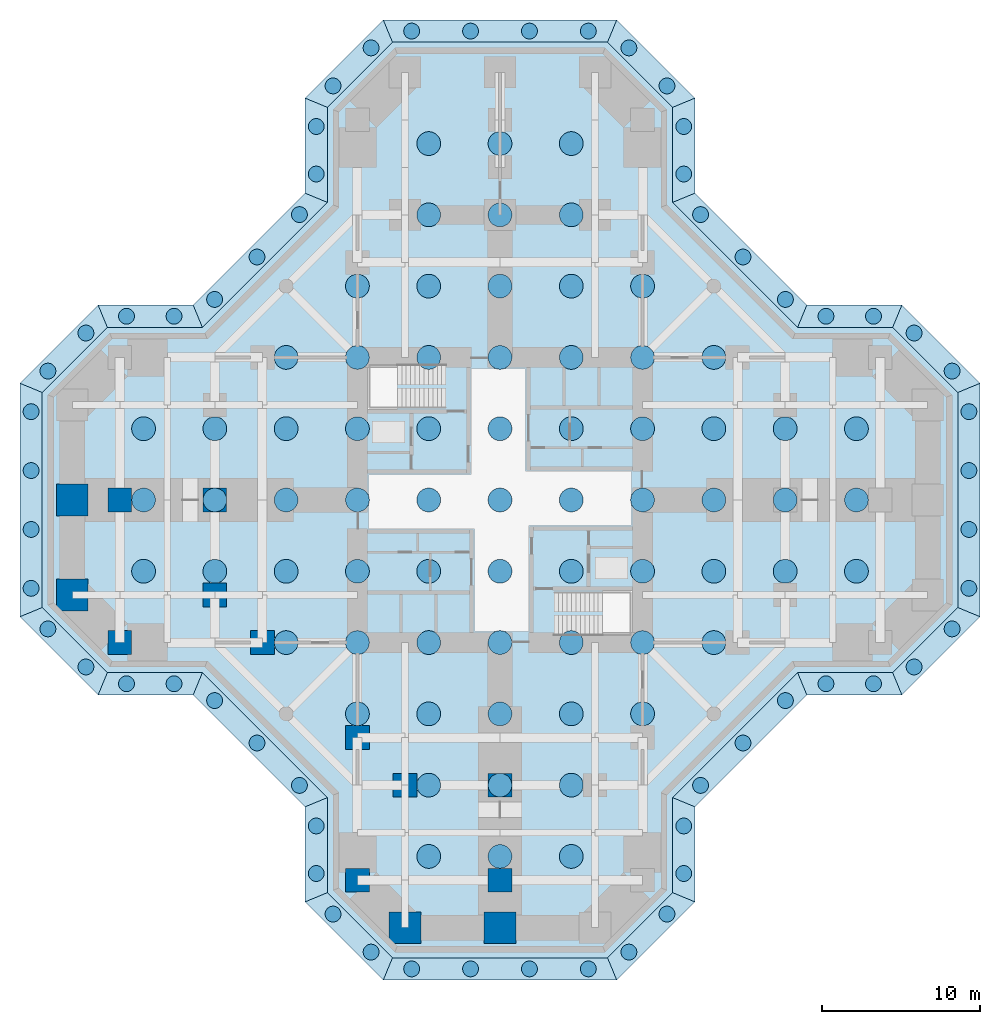
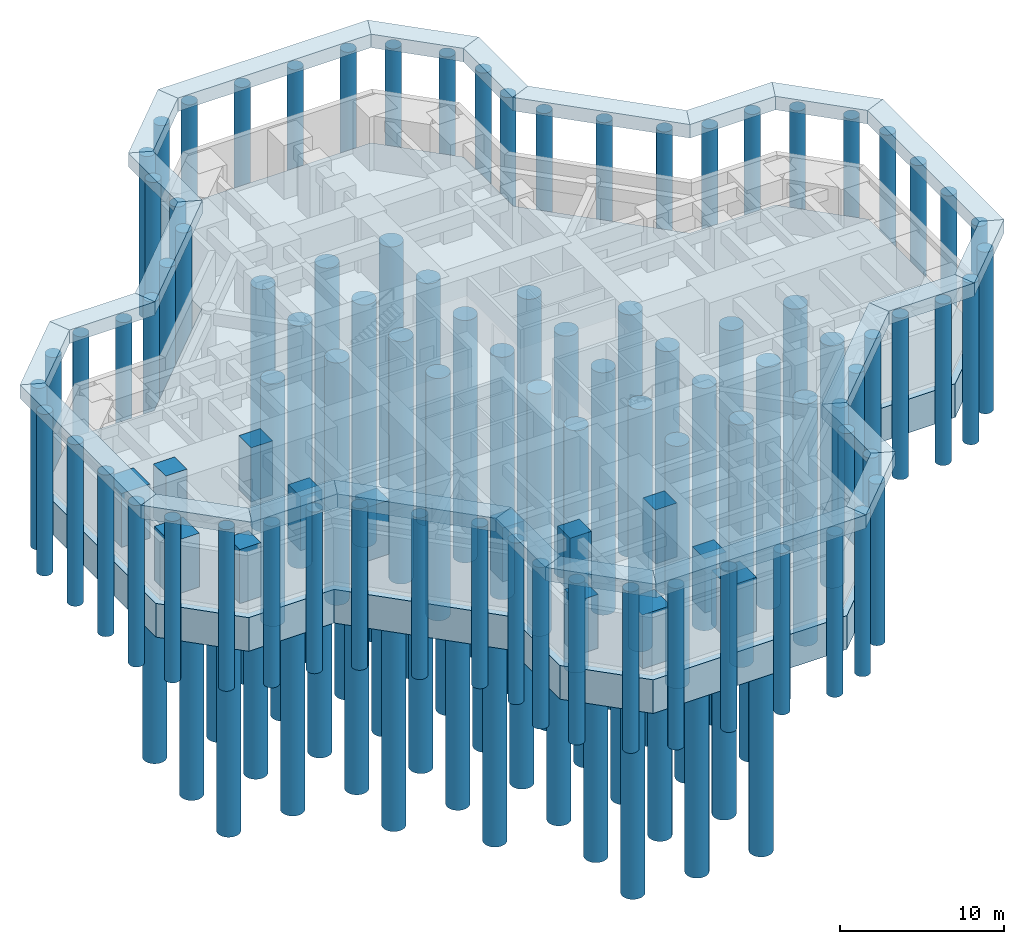
# One storey, part 1 of 8: 129 piles, 25 footings, 14 columns.
"""IFC4 building model written with IfcOpenShell, lengths in metres."""

from ifc_helpers import new_model, si_unit, direction, frame, origin, origin_2d, place, context, subcontext, project, spatial, polyline, rectangle, circle, outline, extrude, material, layer, layer_set, material_profile, profile_set, type_object, element, save


model = new_model("IFC4")

# Units and contexts
model_context = context("Model", 3, precision=1e-05, world=origin(), true_north=direction((0.0, 1.0)))
body_context = subcontext(model_context, "Body", "Model", "MODEL_VIEW")
ifc_project = project(units=[si_unit("LENGTHUNIT", "METRE"), si_unit("AREAUNIT", "SQUARE_METRE"), si_unit("VOLUMEUNIT", "CUBIC_METRE"), si_unit("PLANEANGLEUNIT", "RADIAN"), si_unit("MASSUNIT", "GRAM", prefix="KILO")], contexts=[model_context])

# Site, building, storey
site_placement = place(None, origin())
site = spatial("IfcSite", under=ifc_project, at=site_placement, CompositionType="ELEMENT")
building_placement = place(site_placement, origin())
building = spatial("IfcBuilding", under=site, at=building_placement, Name="Torre Cruceta", CompositionType="ELEMENT")
storey_placement = place(building_placement, frame((0.0, 0.0, -8.0)))
storey = spatial("IfcBuildingStorey", under=building, at=storey_placement, Name="B02", CompositionType="ELEMENT", Elevation=-8.0)

# Piles
ifc_material_1 = material(Name="Concrete G35 (fck 35 MPa)", Category="concrete")
ifc_material_profile_1 = material_profile(ifc_material_1, circle(Radius=0.75, at=origin_2d()), Name="RC D1500")
ifc_profile_set_1 = profile_set([ifc_material_profile_1], Name="Concrete G35 (fck 35 MPa)")
pile_type_1 = type_object("IfcPileType", Name="BORED PILE RC D1500", PredefinedType="BORED", material=ifc_profile_set_1)
for number, where, z_axis, x_axis, name in (
    (1, (-22.5, -4.5, -2.800048828125), (0.0, 0.0, -1.0), (1.0, 0.0, 0.0), "Raft pile BP1-001"),
    (2, (-22.5, 0.0, -2.800048828125), (0.0, 0.0, -1.0), (1.0, 0.0, 0.0), "Raft pile BP1-002"),
    (3, (-22.5, 4.5, -2.800048828125), (0.0, 0.0, -1.0), (1.0, 0.0, 0.0), "Raft pile BP1-003"),
    (4, (-18.0, -4.5, -2.800048828125), (0.0, 0.0, -1.0), (1.0, 0.0, 0.0), "Raft pile BP1-004"),
    (5, (-18.0, 0.0, -2.800048828125), (0.0, 0.0, -1.0), (1.0, 0.0, 0.0), "Raft pile BP1-005"),
    (6, (-18.0, 4.5, -2.800048828125), (0.0, 0.0, -1.0), (1.0, 0.0, 0.0), "Raft pile BP1-006"),
    (7, (-13.5, -9.0, -2.800048828125), (0.0, 0.0, -1.0), (1.0, 0.0, 0.0), "Raft pile BP1-007"),
    (8, (-13.5, -4.5, -2.800048828125), (0.0, 0.0, -1.0), (1.0, 0.0, 0.0), "Raft pile BP1-008"),
    (9, (-13.5, 0.0, -2.800048828125), (0.0, 0.0, -1.0), (1.0, 0.0, 0.0), "Raft pile BP1-009"),
    (10, (-13.5, 4.5, -2.800048828125), (0.0, 0.0, -1.0), (1.0, 0.0, 0.0), "Raft pile BP1-010"),
    (11, (-13.5, 9.0, -2.800048828125), (0.0, 0.0, -1.0), (1.0, 0.0, 0.0), "Raft pile BP1-011"),
    (12, (-9.0, -13.5, -2.800048828125), (0.0, 0.0, -1.0), (1.0, 0.0, 0.0), "Raft pile BP1-012"),
    (13, (-9.0, -9.0, -2.800048828125), (0.0, 0.0, -1.0), (1.0, 0.0, 0.0), "Raft pile BP1-013"),
    (14, (-9.0, -4.5, -2.800048828125), (0.0, 0.0, -1.0), (1.0, 0.0, 0.0), "Raft pile BP1-014"),
    (15, (-9.0, 0.0, -2.800048828125), (0.0, 0.0, -1.0), (1.0, 0.0, 0.0), "Raft pile BP1-015"),
    (16, (-9.0, 4.5, -2.800048828125), (0.0, 0.0, -1.0), (1.0, 0.0, 0.0), "Raft pile BP1-016"),
    (17, (-9.0, 9.0, -2.800048828125), (0.0, 0.0, -1.0), (1.0, 0.0, 0.0), "Raft pile BP1-017"),
    (18, (-9.0, 13.5, -2.800048828125), (0.0, 0.0, -1.0), (1.0, 0.0, 0.0), "Raft pile BP1-018"),
    (19, (-4.5, -22.5, -2.800048828125), (0.0, 0.0, -1.0), (1.0, 0.0, 0.0), "Raft pile BP1-019"),
    (20, (-4.5, -18.0, -2.800048828125), (0.0, 0.0, -1.0), (1.0, 0.0, 0.0), "Raft pile BP1-020"),
    (21, (-4.5, -13.5, -2.800048828125), (0.0, 0.0, -1.0), (1.0, 0.0, 0.0), "Raft pile BP1-021"),
    (22, (-4.5, -9.0, -2.800048828125), (0.0, 0.0, -1.0), (1.0, 0.0, 0.0), "Raft pile BP1-022"),
    (23, (-4.5, -4.5, -2.800048828125), (0.0, 0.0, -1.0), (1.0, 0.0, 0.0), "Raft pile BP1-023"),
    (24, (-4.5, 0.0, -2.800048828125), (0.0, 0.0, -1.0), (1.0, 0.0, 0.0), "Raft pile BP1-024"),
    (25, (-4.5, 4.5, -2.800048828125), (0.0, 0.0, -1.0), (1.0, 0.0, 0.0), "Raft pile BP1-025"),
    (26, (-4.5, 9.0, -2.800048828125), (0.0, 0.0, -1.0), (1.0, 0.0, 0.0), "Raft pile BP1-026"),
    (27, (-4.5, 13.5, -2.800048828125), (0.0, 0.0, -1.0), (1.0, 0.0, 0.0), "Raft pile BP1-027"),
    (28, (-4.5, 18.0, -2.800048828125), (0.0, 0.0, -1.0), (1.0, 0.0, 0.0), "Raft pile BP1-028"),
    (29, (-4.5, 22.5, -2.800048828125), (0.0, 0.0, -1.0), (1.0, 0.0, 0.0), "Raft pile BP1-029"),
    (30, (0.0, -22.5, -2.800048828125), (0.0, 0.0, -1.0), (1.0, 0.0, 0.0), "Raft pile BP1-030"),
    (31, (0.0, -18.0, -2.800048828125), (0.0, 0.0, -1.0), (1.0, 0.0, 0.0), "Raft pile BP1-031"),
    (32, (0.0, -13.5, -2.800048828125), (0.0, 0.0, -1.0), (1.0, 0.0, 0.0), "Raft pile BP1-032"),
    (33, (0.0, -9.0, -2.800048828125), (0.0, 0.0, -1.0), (1.0, 0.0, 0.0), "Raft pile BP1-033"),
    (34, (0.0, -4.5, -2.800048828125), (0.0, 0.0, -1.0), (1.0, 0.0, 0.0), "Raft pile BP1-034"),
    (35, (0.0, 0.0, -2.800048828125), (0.0, 0.0, -1.0), (1.0, 0.0, 0.0), "Raft pile BP1-035"),
    (36, (0.0, 4.5, -2.800048828125), (0.0, 0.0, -1.0), (1.0, 0.0, 0.0), "Raft pile BP1-036"),
    (37, (0.0, 9.0, -2.800048828125), (0.0, 0.0, -1.0), (1.0, 0.0, 0.0), "Raft pile BP1-037"),
    (38, (0.0, 13.5, -2.800048828125), (0.0, 0.0, -1.0), (1.0, 0.0, 0.0), "Raft pile BP1-038"),
    (39, (0.0, 18.0, -2.800048828125), (0.0, 0.0, -1.0), (1.0, 0.0, 0.0), "Raft pile BP1-039"),
    (40, (0.0, 22.5, -2.800048828125), (0.0, 0.0, -1.0), (1.0, 0.0, 0.0), "Raft pile BP1-040"),
    (41, (4.5, -22.5, -2.800048828125), (0.0, 0.0, -1.0), (1.0, 0.0, 0.0), "Raft pile BP1-041"),
    (42, (4.5, -18.0, -2.800048828125), (0.0, 0.0, -1.0), (1.0, 0.0, 0.0), "Raft pile BP1-042"),
    (43, (4.5, -13.5, -2.800048828125), (0.0, 0.0, -1.0), (1.0, 0.0, 0.0), "Raft pile BP1-043"),
    (44, (4.5, -9.0, -2.800048828125), (0.0, 0.0, -1.0), (1.0, 0.0, 0.0), "Raft pile BP1-044"),
    (45, (4.5, -4.5, -2.800048828125), (0.0, 0.0, -1.0), (1.0, 0.0, 0.0), "Raft pile BP1-045"),
    (46, (4.5, 0.0, -2.800048828125), (0.0, 0.0, -1.0), (1.0, 0.0, 0.0), "Raft pile BP1-046"),
    (47, (4.5, 4.5, -2.800048828125), (0.0, 0.0, -1.0), (1.0, 0.0, 0.0), "Raft pile BP1-047"),
    (48, (4.5, 9.0, -2.800048828125), (0.0, 0.0, -1.0), (1.0, 0.0, 0.0), "Raft pile BP1-048"),
    (49, (4.5, 13.5, -2.800048828125), (0.0, 0.0, -1.0), (1.0, 0.0, 0.0), "Raft pile BP1-049"),
    (50, (4.5, 18.0, -2.800048828125), (0.0, 0.0, -1.0), (1.0, 0.0, 0.0), "Raft pile BP1-050"),
    (51, (4.5, 22.5, -2.800048828125), (0.0, 0.0, -1.0), (1.0, 0.0, 0.0), "Raft pile BP1-051"),
    (52, (9.0, -13.5, -2.800048828125), (0.0, 0.0, -1.0), (1.0, 0.0, 0.0), "Raft pile BP1-052"),
    (53, (9.0, -9.0, -2.800048828125), (0.0, 0.0, -1.0), (1.0, 0.0, 0.0), "Raft pile BP1-053"),
    (54, (9.0, -4.5, -2.800048828125), (0.0, 0.0, -1.0), (1.0, 0.0, 0.0), "Raft pile BP1-054"),
    (55, (9.0, 0.0, -2.800048828125), (0.0, 0.0, -1.0), (1.0, 0.0, 0.0), "Raft pile BP1-055"),
    (56, (9.0, 4.5, -2.800048828125), (0.0, 0.0, -1.0), (1.0, 0.0, 0.0), "Raft pile BP1-056"),
    (57, (9.0, 9.0, -2.800048828125), (0.0, 0.0, -1.0), (1.0, 0.0, 0.0), "Raft pile BP1-057"),
    (58, (9.0, 13.5, -2.800048828125), (0.0, 0.0, -1.0), (1.0, 0.0, 0.0), "Raft pile BP1-058"),
    (59, (13.5, -9.0, -2.800048828125), (0.0, 0.0, -1.0), (1.0, 0.0, 0.0), "Raft pile BP1-059"),
    (60, (13.5, -4.5, -2.800048828125), (0.0, 0.0, -1.0), (1.0, 0.0, 0.0), "Raft pile BP1-060"),
    (61, (13.5, 0.0, -2.800048828125), (0.0, 0.0, -1.0), (1.0, 0.0, 0.0), "Raft pile BP1-061"),
    (62, (13.5, 4.5, -2.800048828125), (0.0, 0.0, -1.0), (1.0, 0.0, 0.0), "Raft pile BP1-062"),
    (63, (13.5, 9.0, -2.800048828125), (0.0, 0.0, -1.0), (1.0, 0.0, 0.0), "Raft pile BP1-063"),
    (64, (18.0, -4.5, -2.800048828125), (0.0, 0.0, -1.0), (1.0, 0.0, 0.0), "Raft pile BP1-064"),
    (65, (18.0, 0.0, -2.800048828125), (0.0, 0.0, -1.0), (1.0, 0.0, 0.0), "Raft pile BP1-065"),
    (66, (18.0, 4.5, -2.800048828125), (0.0, 0.0, -1.0), (1.0, 0.0, 0.0), "Raft pile BP1-066"),
    (67, (22.5, -4.5, -2.800048828125), (0.0, 0.0, -1.0), (1.0, 0.0, 0.0), "Raft pile BP1-067"),
    (68, (22.5, 0.0, -2.800048828125), (0.0, 0.0, -1.0), (1.0, 0.0, 0.0), "Raft pile BP1-068"),
    (69, (22.5, 4.5, -2.800048828125), (0.0, 0.0, -1.0), (1.0, 0.0, 0.0), "Raft pile BP1-069"),
):
    element("IfcPile", number, at=place(storey_placement, frame(where, z_axis=z_axis, x_axis=x_axis)), inside=storey, type_object=pile_type_1, Name=name, PredefinedType="BORED", context=body_context, shape_type="SweptSolid", body=[
        extrude(circle(Radius=0.75, at=origin_2d()), origin(), (0.0, 0.0, 1.0), 18.0),
    ])

# Footings
ifc_material_2 = material(Name="Concrete G30 (fck 30 MPa)", Category="concrete")
footing_type_1 = type_object("IfcFootingType", Name="CAPPING BEAM 1400X1000", PredefinedType="FOOTING_BEAM", material=ifc_material_2)
footing_1_placement = place(storey_placement, frame((0.0, 0.0, 6.800048828125)))
element("IfcFooting", 70, at=footing_1_placement, inside=storey, type_object=footing_type_1, Name="Capping beam CB1-01", PredefinedType="FOOTING_BEAM", context=body_context, shape_type="SweptSolid", body=[
    extrude(outline(polyline([(18.787109375, -10.89990234375), (10.89990234375, -18.787109375), (12.300048828125, -19.366943359375), (19.366943359375, -12.300048828125), (18.787109375, -10.89990234375)])), origin(), (0.0, 0.0, 1.0), 1.0),
])
footing_2_placement = place(storey_placement, frame((0.0, 0.0, 6.800048828125)))
element("IfcFooting", 71, at=footing_2_placement, inside=storey, type_object=footing_type_1, Name="Capping beam CB1-02", PredefinedType="FOOTING_BEAM", context=body_context, shape_type="SweptSolid", body=[
    extrude(outline(polyline([(10.89990234375, -18.787109375), (10.89990234375, -24.787109375), (12.300048828125, -25.366943359375), (12.300048828125, -19.366943359375), (10.89990234375, -18.787109375)])), origin(), (0.0, 0.0, 1.0), 1.0),
])
footing_3_placement = place(storey_placement, frame((0.0, 0.0, 6.800048828125)))
element("IfcFooting", 72, at=footing_3_placement, inside=storey, type_object=footing_type_1, Name="Capping beam CB1-03", PredefinedType="FOOTING_BEAM", context=body_context, shape_type="SweptSolid", body=[
    extrude(outline(polyline([(10.89990234375, -24.787109375), (6.787109375, -28.89990234375), (7.366943359375, -30.300048828125), (12.300048828125, -25.366943359375), (10.89990234375, -24.787109375)])), origin(), (0.0, 0.0, 1.0), 1.0),
])
footing_4_placement = place(storey_placement, frame((0.0, 0.0, 6.800048828125)))
element("IfcFooting", 73, at=footing_4_placement, inside=storey, type_object=footing_type_1, Name="Capping beam CB1-04", PredefinedType="FOOTING_BEAM", context=body_context, shape_type="SweptSolid", body=[
    extrude(outline(polyline([(6.787109375, -28.89990234375), (-6.787109375, -28.89990234375), (-7.366943359375, -30.300048828125), (7.366943359375, -30.300048828125), (6.787109375, -28.89990234375)])), origin(), (0.0, 0.0, 1.0), 1.0),
])
footing_5_placement = place(storey_placement, frame((0.0, 0.0, 6.800048828125)))
element("IfcFooting", 74, at=footing_5_placement, inside=storey, type_object=footing_type_1, Name="Capping beam CB1-05", PredefinedType="FOOTING_BEAM", context=body_context, shape_type="SweptSolid", body=[
    extrude(outline(polyline([(-6.787109375, -28.89990234375), (-10.89990234375, -24.787109375), (-12.300048828125, -25.366943359375), (-7.366943359375, -30.300048828125), (-6.787109375, -28.89990234375)])), origin(), (0.0, 0.0, 1.0), 1.0),
])
footing_6_placement = place(storey_placement, frame((0.0, 0.0, 6.800048828125)))
element("IfcFooting", 75, at=footing_6_placement, inside=storey, type_object=footing_type_1, Name="Capping beam CB1-06", PredefinedType="FOOTING_BEAM", context=body_context, shape_type="SweptSolid", body=[
    extrude(outline(polyline([(-10.89990234375, -24.787109375), (-10.89990234375, -18.787109375), (-12.300048828125, -19.366943359375), (-12.300048828125, -25.366943359375), (-10.89990234375, -24.787109375)])), origin(), (0.0, 0.0, 1.0), 1.0),
])
footing_7_placement = place(storey_placement, frame((0.0, 0.0, 6.800048828125)))
element("IfcFooting", 76, at=footing_7_placement, inside=storey, type_object=footing_type_1, Name="Capping beam CB1-07", PredefinedType="FOOTING_BEAM", context=body_context, shape_type="SweptSolid", body=[
    extrude(outline(polyline([(-10.89990234375, -18.787109375), (-18.787109375, -10.89990234375), (-19.366943359375, -12.300048828125), (-12.300048828125, -19.366943359375), (-10.89990234375, -18.787109375)])), origin(), (0.0, 0.0, 1.0), 1.0),
])
footing_8_placement = place(storey_placement, frame((0.0, 0.0, 6.800048828125)))
element("IfcFooting", 77, at=footing_8_placement, inside=storey, type_object=footing_type_1, Name="Capping beam CB1-08", PredefinedType="FOOTING_BEAM", context=body_context, shape_type="SweptSolid", body=[
    extrude(outline(polyline([(-18.787109375, -10.89990234375), (-24.787109375, -10.89990234375), (-25.366943359375, -12.300048828125), (-19.366943359375, -12.300048828125), (-18.787109375, -10.89990234375)])), origin(), (0.0, 0.0, 1.0), 1.0),
])
footing_9_placement = place(storey_placement, frame((0.0, 0.0, 6.800048828125)))
element("IfcFooting", 78, at=footing_9_placement, inside=storey, type_object=footing_type_1, Name="Capping beam CB1-09", PredefinedType="FOOTING_BEAM", context=body_context, shape_type="SweptSolid", body=[
    extrude(outline(polyline([(-24.787109375, -10.89990234375), (-28.89990234375, -6.787109375), (-30.300048828125, -7.366943359375), (-25.366943359375, -12.300048828125), (-24.787109375, -10.89990234375)])), origin(), (0.0, 0.0, 1.0), 1.0),
])
footing_10_placement = place(storey_placement, frame((0.0, 0.0, 6.800048828125)))
element("IfcFooting", 79, at=footing_10_placement, inside=storey, type_object=footing_type_1, Name="Capping beam CB1-10", PredefinedType="FOOTING_BEAM", context=body_context, shape_type="SweptSolid", body=[
    extrude(outline(polyline([(-28.89990234375, -6.787109375), (-28.89990234375, 6.787109375), (-30.300048828125, 7.366943359375), (-30.300048828125, -7.366943359375), (-28.89990234375, -6.787109375)])), origin(), (0.0, 0.0, 1.0), 1.0),
])
footing_11_placement = place(storey_placement, frame((0.0, 0.0, 6.800048828125)))
element("IfcFooting", 80, at=footing_11_placement, inside=storey, type_object=footing_type_1, Name="Capping beam CB1-11", PredefinedType="FOOTING_BEAM", context=body_context, shape_type="SweptSolid", body=[
    extrude(outline(polyline([(-28.89990234375, 6.787109375), (-24.787109375, 10.89990234375), (-25.366943359375, 12.300048828125), (-30.300048828125, 7.366943359375), (-28.89990234375, 6.787109375)])), origin(), (0.0, 0.0, 1.0), 1.0),
])
footing_12_placement = place(storey_placement, frame((0.0, 0.0, 6.800048828125)))
element("IfcFooting", 81, at=footing_12_placement, inside=storey, type_object=footing_type_1, Name="Capping beam CB1-12", PredefinedType="FOOTING_BEAM", context=body_context, shape_type="SweptSolid", body=[
    extrude(outline(polyline([(-24.787109375, 10.89990234375), (-18.787109375, 10.89990234375), (-19.366943359375, 12.300048828125), (-25.366943359375, 12.300048828125), (-24.787109375, 10.89990234375)])), origin(), (0.0, 0.0, 1.0), 1.0),
])
footing_13_placement = place(storey_placement, frame((0.0, 0.0, 6.800048828125)))
element("IfcFooting", 82, at=footing_13_placement, inside=storey, type_object=footing_type_1, Name="Capping beam CB1-13", PredefinedType="FOOTING_BEAM", context=body_context, shape_type="SweptSolid", body=[
    extrude(outline(polyline([(-18.787109375, 10.89990234375), (-10.89990234375, 18.787109375), (-12.300048828125, 19.366943359375), (-19.366943359375, 12.300048828125), (-18.787109375, 10.89990234375)])), origin(), (0.0, 0.0, 1.0), 1.0),
])
footing_14_placement = place(storey_placement, frame((0.0, 0.0, 6.800048828125)))
element("IfcFooting", 83, at=footing_14_placement, inside=storey, type_object=footing_type_1, Name="Capping beam CB1-14", PredefinedType="FOOTING_BEAM", context=body_context, shape_type="SweptSolid", body=[
    extrude(outline(polyline([(-10.89990234375, 18.787109375), (-10.89990234375, 24.787109375), (-12.300048828125, 25.366943359375), (-12.300048828125, 19.366943359375), (-10.89990234375, 18.787109375)])), origin(), (0.0, 0.0, 1.0), 1.0),
])
footing_15_placement = place(storey_placement, frame((0.0, 0.0, 6.800048828125)))
element("IfcFooting", 84, at=footing_15_placement, inside=storey, type_object=footing_type_1, Name="Capping beam CB1-15", PredefinedType="FOOTING_BEAM", context=body_context, shape_type="SweptSolid", body=[
    extrude(outline(polyline([(-10.89990234375, 24.787109375), (-6.787109375, 28.89990234375), (-7.366943359375, 30.300048828125), (-12.300048828125, 25.366943359375), (-10.89990234375, 24.787109375)])), origin(), (0.0, 0.0, 1.0), 1.0),
])
footing_16_placement = place(storey_placement, frame((0.0, 0.0, 6.800048828125)))
element("IfcFooting", 85, at=footing_16_placement, inside=storey, type_object=footing_type_1, Name="Capping beam CB1-16", PredefinedType="FOOTING_BEAM", context=body_context, shape_type="SweptSolid", body=[
    extrude(outline(polyline([(-6.787109375, 28.89990234375), (6.787109375, 28.89990234375), (7.366943359375, 30.300048828125), (-7.366943359375, 30.300048828125), (-6.787109375, 28.89990234375)])), origin(), (0.0, 0.0, 1.0), 1.0),
])
footing_17_placement = place(storey_placement, frame((0.0, 0.0, 6.800048828125)))
element("IfcFooting", 86, at=footing_17_placement, inside=storey, type_object=footing_type_1, Name="Capping beam CB1-17", PredefinedType="FOOTING_BEAM", context=body_context, shape_type="SweptSolid", body=[
    extrude(outline(polyline([(6.787109375, 28.89990234375), (10.89990234375, 24.787109375), (12.300048828125, 25.366943359375), (7.366943359375, 30.300048828125), (6.787109375, 28.89990234375)])), origin(), (0.0, 0.0, 1.0), 1.0),
])
footing_18_placement = place(storey_placement, frame((0.0, 0.0, 6.800048828125)))
element("IfcFooting", 87, at=footing_18_placement, inside=storey, type_object=footing_type_1, Name="Capping beam CB1-18", PredefinedType="FOOTING_BEAM", context=body_context, shape_type="SweptSolid", body=[
    extrude(outline(polyline([(10.89990234375, 24.787109375), (10.89990234375, 18.787109375), (12.300048828125, 19.366943359375), (12.300048828125, 25.366943359375), (10.89990234375, 24.787109375)])), origin(), (0.0, 0.0, 1.0), 1.0),
])
footing_19_placement = place(storey_placement, frame((0.0, 0.0, 6.800048828125)))
element("IfcFooting", 88, at=footing_19_placement, inside=storey, type_object=footing_type_1, Name="Capping beam CB1-19", PredefinedType="FOOTING_BEAM", context=body_context, shape_type="SweptSolid", body=[
    extrude(outline(polyline([(10.89990234375, 18.787109375), (18.787109375, 10.89990234375), (19.366943359375, 12.300048828125), (12.300048828125, 19.366943359375), (10.89990234375, 18.787109375)])), origin(), (0.0, 0.0, 1.0), 1.0),
])
footing_20_placement = place(storey_placement, frame((0.0, 0.0, 6.800048828125)))
element("IfcFooting", 89, at=footing_20_placement, inside=storey, type_object=footing_type_1, Name="Capping beam CB1-20", PredefinedType="FOOTING_BEAM", context=body_context, shape_type="SweptSolid", body=[
    extrude(outline(polyline([(18.787109375, 10.89990234375), (24.787109375, 10.89990234375), (25.366943359375, 12.300048828125), (19.366943359375, 12.300048828125), (18.787109375, 10.89990234375)])), origin(), (0.0, 0.0, 1.0), 1.0),
])
footing_21_placement = place(storey_placement, frame((0.0, 0.0, 6.800048828125)))
element("IfcFooting", 90, at=footing_21_placement, inside=storey, type_object=footing_type_1, Name="Capping beam CB1-21", PredefinedType="FOOTING_BEAM", context=body_context, shape_type="SweptSolid", body=[
    extrude(outline(polyline([(24.787109375, 10.89990234375), (28.89990234375, 6.787109375), (30.300048828125, 7.366943359375), (25.366943359375, 12.300048828125), (24.787109375, 10.89990234375)])), origin(), (0.0, 0.0, 1.0), 1.0),
])
footing_22_placement = place(storey_placement, frame((0.0, 0.0, 6.800048828125)))
element("IfcFooting", 91, at=footing_22_placement, inside=storey, type_object=footing_type_1, Name="Capping beam CB1-22", PredefinedType="FOOTING_BEAM", context=body_context, shape_type="SweptSolid", body=[
    extrude(outline(polyline([(28.89990234375, 6.787109375), (28.89990234375, -6.787109375), (30.300048828125, -7.366943359375), (30.300048828125, 7.366943359375), (28.89990234375, 6.787109375)])), origin(), (0.0, 0.0, 1.0), 1.0),
])
footing_23_placement = place(storey_placement, frame((0.0, 0.0, 6.800048828125)))
element("IfcFooting", 92, at=footing_23_placement, inside=storey, type_object=footing_type_1, Name="Capping beam CB1-23", PredefinedType="FOOTING_BEAM", context=body_context, shape_type="SweptSolid", body=[
    extrude(outline(polyline([(28.89990234375, -6.787109375), (24.787109375, -10.89990234375), (25.366943359375, -12.300048828125), (30.300048828125, -7.366943359375), (28.89990234375, -6.787109375)])), origin(), (0.0, 0.0, 1.0), 1.0),
])
footing_24_placement = place(storey_placement, frame((0.0, 0.0, 6.800048828125)))
element("IfcFooting", 93, at=footing_24_placement, inside=storey, type_object=footing_type_1, Name="Capping beam CB1-24", PredefinedType="FOOTING_BEAM", context=body_context, shape_type="SweptSolid", body=[
    extrude(outline(polyline([(24.787109375, -10.89990234375), (18.787109375, -10.89990234375), (19.366943359375, -12.300048828125), (25.366943359375, -12.300048828125), (24.787109375, -10.89990234375)])), origin(), (0.0, 0.0, 1.0), 1.0),
])
ifc_material_3 = material(Name="Concrete G45 (fck 45 MPa)", Category="concrete")
ifc_layer = layer(ifc_material_3, 2.5)
ifc_layer_set = layer_set([ifc_layer], Name="Concrete G45 (fck 45 MPa)")
footing_type_2 = type_object("IfcFootingType", Name="PILED RAFT 2500", PredefinedType="USERDEFINED", material=ifc_layer_set)
footing_25_placement = place(storey_placement, frame((0.0, 0.0, -2.800048828125)))
element("IfcFooting", 94, at=footing_25_placement, inside=storey, type_object=footing_type_2, Name="Piled raft RF1", ObjectType="PILED RAFT", PredefinedType="USERDEFINED", context=body_context, shape_type="SweptSolid", body=[
    extrude(outline(polyline([(18.8076171875, -10.949951171875), (10.949951171875, -18.8076171875), (10.949951171875, -24.8076171875), (6.8076171875, -28.949951171875), (-6.8076171875, -28.949951171875), (-10.949951171875, -24.8076171875), (-10.949951171875, -18.8076171875), (-18.8076171875, -10.949951171875), (-24.8076171875, -10.949951171875), (-28.949951171875, -6.8076171875), (-28.949951171875, 6.8076171875), (-24.8076171875, 10.949951171875), (-18.8076171875, 10.949951171875), (-10.949951171875, 18.8076171875), (-10.949951171875, 24.8076171875), (-6.8076171875, 28.949951171875), (6.8076171875, 28.949951171875), (10.949951171875, 24.8076171875), (10.949951171875, 18.8076171875), (18.8076171875, 10.949951171875), (24.8076171875, 10.949951171875), (28.949951171875, 6.8076171875), (28.949951171875, -6.8076171875), (24.8076171875, -10.949951171875), (18.8076171875, -10.949951171875)])), origin(), (0.0, 0.0, 1.0), 2.5),
])

# Piles
ifc_material_4 = material(Name="Concrete G30 (fck 30 MPa)", Category="concrete")
ifc_material_profile_2 = material_profile(ifc_material_4, circle(Radius=0.5, at=origin_2d()), Name="RC D1000")
ifc_profile_set_2 = profile_set([ifc_material_profile_2], Name="Concrete G30 (fck 30 MPa)")
pile_type_2 = type_object("IfcPileType", Name="SHORING PILE RC D1000", PredefinedType="SUPPORT", material=ifc_profile_set_2)
for number, where, z_axis, x_axis, name in (
    (95, (18.016357421875, -12.66064453125, 6.800048828125), (0.0, 0.0, -1.0), (1.0, 0.0, 0.0), "Shoring pile SP1-001"),
    (96, (15.33837890625, -15.33837890625, 6.800048828125), (0.0, 0.0, -1.0), (1.0, 0.0, 0.0), "Shoring pile SP1-002"),
    (97, (12.66064453125, -18.016357421875, 6.800048828125), (0.0, 0.0, -1.0), (1.0, 0.0, 0.0), "Shoring pile SP1-003"),
    (98, (11.60009765625, -20.576904296875, 6.800048828125), (0.0, 0.0, -1.0), (1.0, 0.0, 0.0), "Shoring pile SP1-004"),
    (99, (11.60009765625, -23.576904296875, 6.800048828125), (0.0, 0.0, -1.0), (1.0, 0.0, 0.0), "Shoring pile SP1-005"),
    (100, (10.539306640625, -26.1376953125, 6.800048828125), (0.0, 0.0, -1.0), (1.0, 0.0, 0.0), "Shoring pile SP1-006"),
    (101, (8.1376953125, -28.539306640625, 6.800048828125), (0.0, 0.0, -1.0), (1.0, 0.0, 0.0), "Shoring pile SP1-007"),
    (102, (5.576904296875, -29.60009765625, 6.800048828125), (0.0, 0.0, -1.0), (1.0, 0.0, 0.0), "Shoring pile SP1-008"),
    (103, (1.85888671875, -29.60009765625, 6.800048828125), (0.0, 0.0, -1.0), (1.0, 0.0, 0.0), "Shoring pile SP1-009"),
    (104, (-1.85888671875, -29.60009765625, 6.800048828125), (0.0, 0.0, -1.0), (1.0, 0.0, 0.0), "Shoring pile SP1-010"),
    (105, (-5.576904296875, -29.60009765625, 6.800048828125), (0.0, 0.0, -1.0), (1.0, 0.0, 0.0), "Shoring pile SP1-011"),
    (106, (-8.1376953125, -28.539306640625, 6.800048828125), (0.0, 0.0, -1.0), (1.0, 0.0, 0.0), "Shoring pile SP1-012"),
    (107, (-10.539306640625, -26.1376953125, 6.800048828125), (0.0, 0.0, -1.0), (1.0, 0.0, 0.0), "Shoring pile SP1-013"),
    (108, (-11.60009765625, -23.576904296875, 6.800048828125), (0.0, 0.0, -1.0), (1.0, 0.0, 0.0), "Shoring pile SP1-014"),
    (109, (-11.60009765625, -20.576904296875, 6.800048828125), (0.0, 0.0, -1.0), (1.0, 0.0, 0.0), "Shoring pile SP1-015"),
    (110, (-12.66064453125, -18.016357421875, 6.800048828125), (0.0, 0.0, -1.0), (1.0, 0.0, 0.0), "Shoring pile SP1-016"),
    (111, (-15.33837890625, -15.33837890625, 6.800048828125), (0.0, 0.0, -1.0), (1.0, 0.0, 0.0), "Shoring pile SP1-017"),
    (112, (-18.016357421875, -12.66064453125, 6.800048828125), (0.0, 0.0, -1.0), (1.0, 0.0, 0.0), "Shoring pile SP1-018"),
    (113, (-20.576904296875, -11.60009765625, 6.800048828125), (0.0, 0.0, -1.0), (1.0, 0.0, 0.0), "Shoring pile SP1-019"),
    (114, (-23.576904296875, -11.60009765625, 6.800048828125), (0.0, 0.0, -1.0), (1.0, 0.0, 0.0), "Shoring pile SP1-020"),
    (115, (-26.1376953125, -10.539306640625, 6.800048828125), (0.0, 0.0, -1.0), (1.0, 0.0, 0.0), "Shoring pile SP1-021"),
    (116, (-28.539306640625, -8.1376953125, 6.800048828125), (0.0, 0.0, -1.0), (1.0, 0.0, 0.0), "Shoring pile SP1-022"),
    (117, (-29.60009765625, -5.576904296875, 6.800048828125), (0.0, 0.0, -1.0), (1.0, 0.0, 0.0), "Shoring pile SP1-023"),
    (118, (-29.60009765625, -1.85888671875, 6.800048828125), (0.0, 0.0, -1.0), (1.0, 0.0, 0.0), "Shoring pile SP1-024"),
    (119, (-29.60009765625, 1.85888671875, 6.800048828125), (0.0, 0.0, -1.0), (1.0, 0.0, 0.0), "Shoring pile SP1-025"),
    (120, (-29.60009765625, 5.576904296875, 6.800048828125), (0.0, 0.0, -1.0), (1.0, 0.0, 0.0), "Shoring pile SP1-026"),
    (121, (-28.539306640625, 8.1376953125, 6.800048828125), (0.0, 0.0, -1.0), (1.0, 0.0, 0.0), "Shoring pile SP1-027"),
    (122, (-26.1376953125, 10.539306640625, 6.800048828125), (0.0, 0.0, -1.0), (1.0, 0.0, 0.0), "Shoring pile SP1-028"),
    (123, (-23.576904296875, 11.60009765625, 6.800048828125), (0.0, 0.0, -1.0), (1.0, 0.0, 0.0), "Shoring pile SP1-029"),
    (124, (-20.576904296875, 11.60009765625, 6.800048828125), (0.0, 0.0, -1.0), (1.0, 0.0, 0.0), "Shoring pile SP1-030"),
    (125, (-18.016357421875, 12.66064453125, 6.800048828125), (0.0, 0.0, -1.0), (1.0, 0.0, 0.0), "Shoring pile SP1-031"),
    (126, (-15.33837890625, 15.33837890625, 6.800048828125), (0.0, 0.0, -1.0), (1.0, 0.0, 0.0), "Shoring pile SP1-032"),
    (127, (-12.66064453125, 18.016357421875, 6.800048828125), (0.0, 0.0, -1.0), (1.0, 0.0, 0.0), "Shoring pile SP1-033"),
    (128, (-11.60009765625, 20.576904296875, 6.800048828125), (0.0, 0.0, -1.0), (1.0, 0.0, 0.0), "Shoring pile SP1-034"),
    (129, (-11.60009765625, 23.576904296875, 6.800048828125), (0.0, 0.0, -1.0), (1.0, 0.0, 0.0), "Shoring pile SP1-035"),
    (130, (-10.539306640625, 26.1376953125, 6.800048828125), (0.0, 0.0, -1.0), (1.0, 0.0, 0.0), "Shoring pile SP1-036"),
    (131, (-8.1376953125, 28.539306640625, 6.800048828125), (0.0, 0.0, -1.0), (1.0, 0.0, 0.0), "Shoring pile SP1-037"),
    (132, (-5.576904296875, 29.60009765625, 6.800048828125), (0.0, 0.0, -1.0), (1.0, 0.0, 0.0), "Shoring pile SP1-038"),
    (133, (-1.85888671875, 29.60009765625, 6.800048828125), (0.0, 0.0, -1.0), (1.0, 0.0, 0.0), "Shoring pile SP1-039"),
    (134, (1.85888671875, 29.60009765625, 6.800048828125), (0.0, 0.0, -1.0), (1.0, 0.0, 0.0), "Shoring pile SP1-040"),
    (135, (5.576904296875, 29.60009765625, 6.800048828125), (0.0, 0.0, -1.0), (1.0, 0.0, 0.0), "Shoring pile SP1-041"),
    (136, (8.1376953125, 28.539306640625, 6.800048828125), (0.0, 0.0, -1.0), (1.0, 0.0, 0.0), "Shoring pile SP1-042"),
    (137, (10.539306640625, 26.1376953125, 6.800048828125), (0.0, 0.0, -1.0), (1.0, 0.0, 0.0), "Shoring pile SP1-043"),
    (138, (11.60009765625, 23.576904296875, 6.800048828125), (0.0, 0.0, -1.0), (1.0, 0.0, 0.0), "Shoring pile SP1-044"),
    (139, (11.60009765625, 20.576904296875, 6.800048828125), (0.0, 0.0, -1.0), (1.0, 0.0, 0.0), "Shoring pile SP1-045"),
    (140, (12.66064453125, 18.016357421875, 6.800048828125), (0.0, 0.0, -1.0), (1.0, 0.0, 0.0), "Shoring pile SP1-046"),
    (141, (15.33837890625, 15.33837890625, 6.800048828125), (0.0, 0.0, -1.0), (1.0, 0.0, 0.0), "Shoring pile SP1-047"),
    (142, (18.016357421875, 12.66064453125, 6.800048828125), (0.0, 0.0, -1.0), (1.0, 0.0, 0.0), "Shoring pile SP1-048"),
    (143, (20.576904296875, 11.60009765625, 6.800048828125), (0.0, 0.0, -1.0), (1.0, 0.0, 0.0), "Shoring pile SP1-049"),
    (144, (23.576904296875, 11.60009765625, 6.800048828125), (0.0, 0.0, -1.0), (1.0, 0.0, 0.0), "Shoring pile SP1-050"),
    (145, (26.1376953125, 10.539306640625, 6.800048828125), (0.0, 0.0, -1.0), (1.0, 0.0, 0.0), "Shoring pile SP1-051"),
    (146, (28.539306640625, 8.1376953125, 6.800048828125), (0.0, 0.0, -1.0), (1.0, 0.0, 0.0), "Shoring pile SP1-052"),
    (147, (29.60009765625, 5.576904296875, 6.800048828125), (0.0, 0.0, -1.0), (1.0, 0.0, 0.0), "Shoring pile SP1-053"),
    (148, (29.60009765625, 1.85888671875, 6.800048828125), (0.0, 0.0, -1.0), (1.0, 0.0, 0.0), "Shoring pile SP1-054"),
    (149, (29.60009765625, -1.85888671875, 6.800048828125), (0.0, 0.0, -1.0), (1.0, 0.0, 0.0), "Shoring pile SP1-055"),
    (150, (29.60009765625, -5.576904296875, 6.800048828125), (0.0, 0.0, -1.0), (1.0, 0.0, 0.0), "Shoring pile SP1-056"),
    (151, (28.539306640625, -8.1376953125, 6.800048828125), (0.0, 0.0, -1.0), (1.0, 0.0, 0.0), "Shoring pile SP1-057"),
    (152, (26.1376953125, -10.539306640625, 6.800048828125), (0.0, 0.0, -1.0), (1.0, 0.0, 0.0), "Shoring pile SP1-058"),
    (153, (23.576904296875, -11.60009765625, 6.800048828125), (0.0, 0.0, -1.0), (1.0, 0.0, 0.0), "Shoring pile SP1-059"),
    (154, (20.576904296875, -11.60009765625, 6.800048828125), (0.0, 0.0, -1.0), (1.0, 0.0, 0.0), "Shoring pile SP1-060"),
):
    element("IfcPile", number, at=place(storey_placement, frame(where, z_axis=z_axis, x_axis=x_axis)), inside=storey, type_object=pile_type_2, Name=name, PredefinedType="SUPPORT", context=body_context, shape_type="SweptSolid", body=[
        extrude(circle(Radius=0.5, at=origin_2d()), origin(), (0.0, 0.0, 1.0), 12.0),
    ])

# Columns
ifc_material_5 = material(Name="Concrete G60 (fck 60 MPa)", Category="concrete")
ifc_material_profile_3 = material_profile(ifc_material_5, rectangle(XDim=1.5, YDim=1.5, at=origin_2d()), Name="RC 1500X1500")
ifc_profile_set_3 = profile_set([ifc_material_profile_3], Name="Concrete G60 (fck 60 MPa)")
column_type_1 = type_object("IfcColumnType", Name="COLUMN RC 1500X1500", PredefinedType="COLUMN", material=ifc_profile_set_3)
for number, where, z_axis, x_axis, name in (
    (155, (-9.0, -15.0, 0.0), (0.0, 0.0, 1.0), (1.0, 0.0, 0.0), "C0 B02 S side"),
    (156, (-9.0, -24.0, 0.0), (0.0, 0.0, 1.0), (1.0, 0.0, 0.0), "C0 B02 S chamfer"),
    (157, (-15.0, -9.0, 0.0), (0.0, 0.0, 1.0), (1.0, 0.0, 0.0), "C0 B02 W side"),
    (158, (-24.0, -9.0, 0.0), (0.0, 0.0, 1.0), (1.0, 0.0, 0.0), "C0 B02 W chamfer"),
    (159, (-6.0, -18.0, 0.0), (0.0, 0.0, 1.0), (1.0, 0.0, 0.0), "C0 B02 S interior"),
    (160, (0.0, -18.0, 0.0), (0.0, 0.0, 1.0), (1.0, 0.0, 0.0), "C0 B02 S interior"),
    (161, (0.0, -24.0, 0.0), (0.0, 0.0, 1.0), (1.0, 0.0, 0.0), "C0 B02 S interior"),
    (162, (-18.0, 0.0, 0.0), (0.0, 0.0, 1.0), (1.0, 0.0, 0.0), "C0 B02 W interior"),
    (163, (-18.0, -6.0, 0.0), (0.0, 0.0, 1.0), (1.0, 0.0, 0.0), "C0 B02 W interior"),
    (164, (-24.0, 0.0, 0.0), (0.0, 0.0, 1.0), (1.0, 0.0, 0.0), "C0 B02 W interior"),
):
    element("IfcColumn", number, at=place(storey_placement, frame(where, z_axis=z_axis, x_axis=x_axis)), inside=storey, type_object=column_type_1, Name=name, PredefinedType="COLUMN", context=body_context, shape_type="SweptSolid", body=[
        extrude(rectangle(XDim=1.5, YDim=1.5, at=origin_2d()), origin(), (0.0, 0.0, 1.0), 4.0),
    ])
ifc_material_6 = material(Name="Concrete G60 (fck 60 MPa)", Category="concrete")
ifc_material_profile_4 = material_profile(ifc_material_6, rectangle(XDim=2.0, YDim=2.0, at=origin_2d()), Name="RC 2000X2000")
ifc_profile_set_4 = profile_set([ifc_material_profile_4], Name="Concrete G60 (fck 60 MPa)")
column_type_2 = type_object("IfcColumnType", Name="COLUMN RC 2000X2000", PredefinedType="COLUMN", material=ifc_profile_set_4)
for number, where, z_axis, x_axis, name in (
    (165, (-6.0, -27.0, 0.0), (0.0, 0.0, 1.0), (1.0, 0.0, 0.0), "CA B02 S tip"),
    (166, (0.0, -27.0, 0.0), (0.0, 0.0, 1.0), (1.0, 0.0, 0.0), "CA B02 S tip"),
    (167, (-27.0, 0.0, 0.0), (0.0, 0.0, 1.0), (1.0, 0.0, 0.0), "CA B02 W tip"),
    (168, (-27.0, -6.0, 0.0), (0.0, 0.0, 1.0), (1.0, 0.0, 0.0), "CA B02 W tip"),
):
    element("IfcColumn", number, at=place(storey_placement, frame(where, z_axis=z_axis, x_axis=x_axis)), inside=storey, type_object=column_type_2, Name=name, PredefinedType="COLUMN", context=body_context, shape_type="SweptSolid", body=[
        extrude(rectangle(XDim=2.0, YDim=2.0, at=origin_2d()), origin(), (0.0, 0.0, 1.0), 4.0),
    ])

save(model, "model.ifc")
